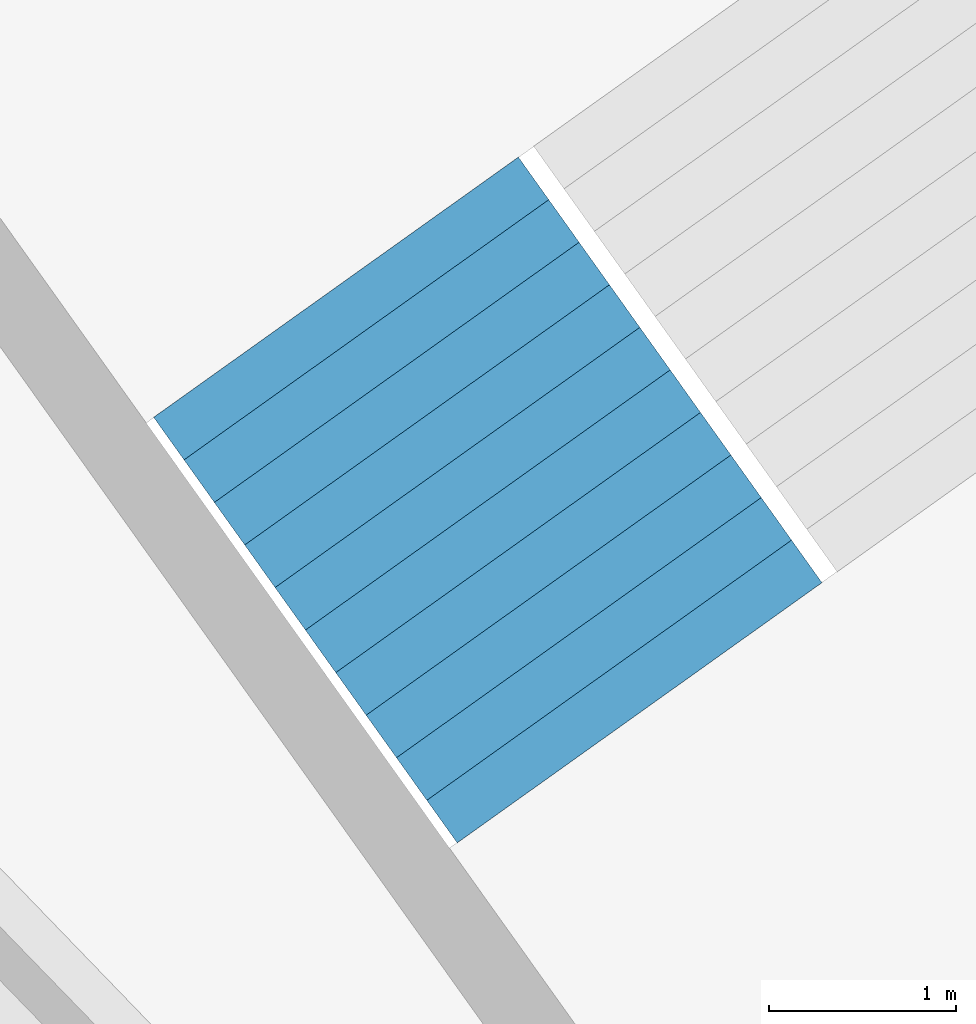
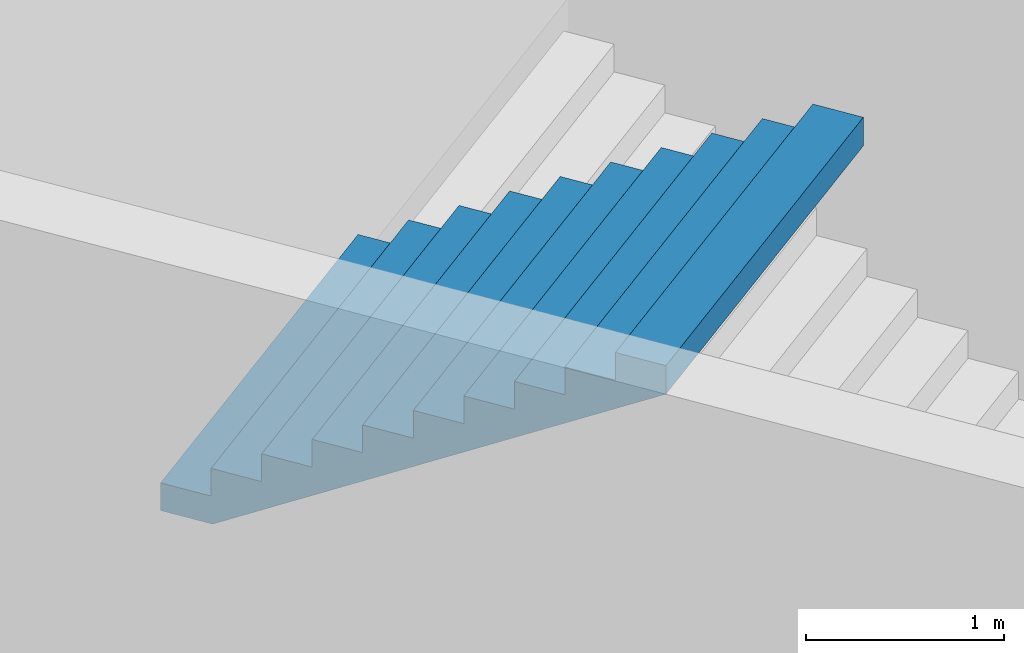
# One storey, part 42 of 73: 1 stair flight, 1 element without a shape of its own.
"""IFC4 building model written with IfcOpenShell, lengths in metres."""

import ifcopenshell
import ifcopenshell.guid

model = None  # the IFC model being written
_history = None  # IfcOwnerHistory: only IFC2X3 demands one
_inside = {}  # id of a spatial element -> (the spatial element, [elements in it])
_under = {}  # id of a project, library or spatial element -> (it, [spatial elements below it])
_declared = {}  # id of a project -> (the project, [libraries it declares])
_typed = {}  # id of a type object -> (the type object, [elements of that type])
_made_of = {}  # id of a material, layer set ... -> (it, [elements and type objects made of it])


def new_model(schema):
    """Start an empty IFC model of exactly this schema.

    Asked for "IFC4X3", IfcOpenShell would pick the latest addendum, in which some entities
    have other attributes; the version numbers below select the first issue.
    IFC2X3 requires an IfcOwnerHistory on every rooted entity: one is made here for all.
    """
    global model, _history
    if schema == "IFC4X3":
        model = ifcopenshell.file(schema_version=(4, 3, 0, 0))
    else:
        model = ifcopenshell.file(schema=schema)
    _inside.clear()
    _under.clear()
    _declared.clear()
    _typed.clear()
    _made_of.clear()
    _history = None
    if model.schema == "IFC2X3":
        org = make("IfcOrganization", Name="unknown")
        user = make(
            "IfcPersonAndOrganization",
            ThePerson=make("IfcPerson", FamilyName="unknown"),
            TheOrganization=org,
        )
        app = make(
            "IfcApplication",
            ApplicationDeveloper=org,
            Version="unknown",
            ApplicationFullName="unknown",
            ApplicationIdentifier="unknown",
        )
        _history = make(
            "IfcOwnerHistory",
            OwningUser=user,
            OwningApplication=app,
            ChangeAction="ADDED",
            CreationDate=0,
        )
    return model


def make(cls, **values):
    """One entity of the class cls with the attributes given. An attribute that is None is left unset."""
    return model.create_entity(
        cls, **{name: value for name, value in values.items() if value is not None}
    )


def rooted(cls, **values):
    """An entity with a GlobalId (a new one), such as an element, a storey or a relation."""
    return make(cls, GlobalId=ifcopenshell.guid.new(), OwnerHistory=_history, **values)


def si_unit(unit_type, name, prefix=None):
    """IfcSIUnit, for example si_unit("LENGTHUNIT", "METRE", prefix="MILLI")."""
    return make("IfcSIUnit", UnitType=unit_type, Prefix=prefix, Name=name)


def assignment(units):
    """IfcUnitAssignment: the units of a project."""
    return None if units is None else make("IfcUnitAssignment", Units=units)


def point(xyz):
    """IfcCartesianPoint."""
    return None if xyz is None else make("IfcCartesianPoint", Coordinates=xyz)


def direction(xyz):
    """IfcDirection."""
    return None if xyz is None else make("IfcDirection", DirectionRatios=xyz)


def frame(location, z_axis=None, x_axis=None):
    """IfcAxis2Placement3D, a coordinate frame: its origin and axes. An axis left out is left unset."""
    return make(
        "IfcAxis2Placement3D",
        Location=point(location),
        Axis=direction(z_axis),
        RefDirection=direction(x_axis),
    )


def origin():
    """The frame at (0, 0, 0) with its axes left unset."""
    return frame((0.0, 0.0, 0.0))


def place(relative_to, where):
    """IfcLocalPlacement: puts the frame where relative to a parent placement (None: the world)."""
    return make(
        "IfcLocalPlacement", PlacementRelTo=relative_to, RelativePlacement=where
    )


def context(
    kind, dimensions, precision=None, world=None, true_north=None, identifier=None
):
    """IfcGeometricRepresentationContext, for example the 3D "Model" context."""
    return make(
        "IfcGeometricRepresentationContext",
        ContextIdentifier=identifier,
        ContextType=kind,
        CoordinateSpaceDimension=dimensions,
        Precision=precision,
        WorldCoordinateSystem=world,
        TrueNorth=true_north,
    )


def subcontext(parent, identifier, kind, view, scale=None):
    """IfcGeometricRepresentationSubContext, for example "Body" below "Model"."""
    return make(
        "IfcGeometricRepresentationSubContext",
        ContextIdentifier=identifier,
        ContextType=kind,
        ParentContext=parent,
        TargetScale=scale,
        TargetView=view,
    )


def project(units=None, contexts=None):
    """IfcProject with its units and contexts."""
    return rooted(
        "IfcProject",
        Name="project",
        RepresentationContexts=contexts,
        UnitsInContext=assignment(units),
    )


def spatial(cls, under=None, at=None, **own):
    """A site, building, storey or space (cls), placed at a placement, below another one or the project."""
    s = rooted(cls, ObjectPlacement=at, **own)
    if under is not None:
        _under.setdefault(under.id(), (under, []))[1].append(s)
    return s


def point_list(points):
    """IfcCartesianPointList2D or 3D."""
    cls = (
        "IfcCartesianPointList2D" if len(points[0]) == 2 else "IfcCartesianPointList3D"
    )
    return make(cls, CoordList=points)


def triangles(points, corners, closed=None, point_numbers=None):
    """IfcTriangulatedFaceSet: each triangle names its three corners, points numbered from 1."""
    return make(
        "IfcTriangulatedFaceSet",
        Coordinates=point_list(points),
        Closed=closed,
        CoordIndex=corners,
        PnIndex=point_numbers,
    )


def shape(context_of_items, identifier, shape_type, items):
    """IfcShapeRepresentation: the items that make up one representation, for example the "Body"."""
    return make(
        "IfcShapeRepresentation",
        ContextOfItems=context_of_items,
        RepresentationIdentifier=identifier,
        RepresentationType=shape_type,
        Items=items,
    )


def material(Name=None, Category=None):
    """IfcMaterial."""
    return make("IfcMaterial", Name=Name, Category=Category)


def made_of(thing, what):
    """Note that an element or type object is made of a material, layer set ...; save() writes the relation."""
    if what is not None:
        _made_of.setdefault(what.id(), (what, []))[1].append(thing)
    return thing


def type_object(cls, material=None, **own):
    """A type object (cls), such as IfcWallType, which elements share."""
    return made_of(rooted(cls, **own), material)


def element(
    cls,
    number,
    at=None,
    inside=None,
    cuts=None,
    type_object=None,
    material=None,
    context=None,
    identifier="Body",
    shape_type=None,
    held_by="IfcProductDefinitionShape",
    body=None,
    shapes=None,
    **own,
):
    """One element of the class cls, such as IfcWall. Its Tag is "e" and its number.

    at: its placement. inside: the storey or other place that contains it. cuts: it is an
    opening in that element (IfcRelVoidsElement). A single representation is given by context,
    identifier, shape_type and body (its items); several are given by shapes. held_by: the class
    of the entity that holds the representations. save() writes the other relations.
    """
    e = rooted(cls, Tag="e%d" % number, ObjectPlacement=at, **own)
    if body is not None:
        shapes = [shape(context, identifier, shape_type, body)]
    if shapes is not None:
        e.Representation = make(held_by, Representations=shapes)
    if inside is not None:
        _inside.setdefault(inside.id(), (inside, []))[1].append(e)
    if cuts is not None:
        rooted(
            "IfcRelVoidsElement", RelatingBuildingElement=cuts, RelatedOpeningElement=e
        )
    if type_object is not None:
        _typed.setdefault(type_object.id(), (type_object, []))[1].append(e)
    return made_of(e, material)


def aggregate(whole, parts):
    """IfcRelAggregates: a whole, such as a stair, and the parts it consists of."""
    return rooted("IfcRelAggregates", RelatingObject=whole, RelatedObjects=parts)


def save(model, path):
    """Write the relations noted so far, then the file.

    IfcRelAggregates (storeys below a building ...), IfcRelContainedInSpatialStructure (elements
    in a storey), IfcRelDefinesByType, IfcRelAssociatesMaterial and IfcRelDeclares: one each for
    every whole, place, type object, material and project.
    """
    for whole, parts in _under.values():
        aggregate(whole, parts)
    for where, things in _inside.values():
        rooted(
            "IfcRelContainedInSpatialStructure",
            RelatedElements=things,
            RelatingStructure=where,
        )
    for kind, things in _typed.values():
        rooted("IfcRelDefinesByType", RelatedObjects=things, RelatingType=kind)
    for what, things in _made_of.values():
        rooted("IfcRelAssociatesMaterial", RelatedObjects=things, RelatingMaterial=what)
    for by, libraries in _declared.values():
        rooted("IfcRelDeclares", RelatingContext=by, RelatedDefinitions=libraries)
    model.write(path)


model = new_model("IFC4")

# Units and contexts
model_context = context("Model", 3, precision=1e-05, world=origin(), true_north=direction((0.0, 1.0)))
body_context = subcontext(model_context, "Body", "Model", "MODEL_VIEW")
ifc_project = project(units=[si_unit("LENGTHUNIT", "METRE"), si_unit("AREAUNIT", "SQUARE_METRE"), si_unit("VOLUMEUNIT", "CUBIC_METRE"), si_unit("PLANEANGLEUNIT", "RADIAN"), si_unit("MASSUNIT", "GRAM", prefix="KILO")], contexts=[model_context])

# Site, building, storey
site_placement = place(None, origin())
site = spatial("IfcSite", under=ifc_project, at=site_placement, CompositionType="ELEMENT")
building_placement = place(site_placement, origin())
building = spatial("IfcBuilding", under=site, at=building_placement, Name="Lantaw Convention Tower", CompositionType="ELEMENT")
storey_placement = place(building_placement, frame((0.0, 0.0, 14.5)))
storey = spatial("IfcBuildingStorey", under=building, at=storey_placement, Name="L02", CompositionType="ELEMENT", Elevation=14.5)

# Stair, stair flight
ifc_material = material(Name="Concrete C35/45", Category="concrete")
stair_type = type_object("IfcStairType", Name="Exit stair 2400 riser 170.45 in 4 flights", PredefinedType="HALF_TURN_STAIR", material=ifc_material)
stair_placement = place(storey_placement, origin())
stair = element("IfcStair", 1, at=stair_placement, inside=storey, type_object=stair_type, Name="Podium exit stair P6 L02", PredefinedType="HALF_TURN_STAIR")
stair_flight_type = type_object("IfcStairFlightType", Name="Stair flight 2400 riser 170.45", PredefinedType="STRAIGHT", material=ifc_material)
stair_flight_placement = place(storey_placement, frame((-20.631591796875, 26.771728515625, 5.625), z_axis=(0.0, 0.0, 1.0), x_axis=(0.580702955711, -0.814115518356, 0.0)))
stair_flight = element("IfcStairFlight", 2, at=stair_flight_placement, type_object=stair_flight_type, Name="P6 flight 4", NumberOfRisers=11, NumberOfTreads=10, PredefinedType="STRAIGHT", RiserHeight=0.170454545, TreadLength=0.28, context=body_context, shape_type="Tessellation", body=[
    triangles([(0.0, 1.199951171875, 0.0), (0.0, 1.199951171875, 0.170454545), (0.28, 1.199951171875, 0.0), (0.28, 1.199951171875, 0.170454545), (0.28, 1.199951171875, 0.34090909), (0.28827876332691904, 1.199951171875, 0.0), (0.28827876332691904, 1.199951171875, 0.34090909), (0.56, 1.199951171875, 0.16541471344266906), (0.56, 1.199951171875, 0.34090909), (0.56, 1.199951171875, 0.511363635), (0.8400000000000001, 1.199951171875, 0.335869258442669), (0.8400000000000001, 1.199951171875, 0.511363635), (0.8400000000000001, 1.199951171875, 0.68181818), (1.12, 1.199951171875, 0.506323803442669), (1.12, 1.199951171875, 0.68181818), (1.12, 1.199951171875, 0.8522727250000001), (1.4000000000000001, 1.199951171875, 0.676778348442669), (1.4000000000000001, 1.199951171875, 0.8522727250000001), (1.4000000000000001, 1.199951171875, 1.02272727), (1.6800000000000002, 1.199951171875, 0.847232893442669), (1.6800000000000002, 1.199951171875, 1.02272727), (1.6800000000000002, 1.199951171875, 1.193181815), (1.9600000000000002, 1.199951171875, 1.017687438442669), (1.9600000000000002, 1.199951171875, 1.193181815), (1.9600000000000002, 1.199951171875, 1.36363636), (2.24, 1.199951171875, 1.188141983442669), (2.24, 1.199951171875, 1.36363636), (2.24, 1.199951171875, 1.5340909050000002), (2.5200000000000005, 1.199951171875, 1.358596528442669), (2.5200000000000005, 1.199951171875, 1.5340909050000002), (2.5200000000000005, 1.199951171875, 1.7045454500000001), (2.8000000000000003, 1.199951171875, 1.529051073442669), (2.8000000000000003, 1.199951171875, 1.7045454500000001), (0.0, -1.199951171875, 0.0), (0.0, -1.199951171875, 0.170454545), (0.28, -1.199951171875, 0.0), (0.28, -1.199951171875, 0.170454545), (0.28, -1.199951171875, 0.34090909), (0.28827876332691904, -1.199951171875, 0.0), (0.28827876332691904, -1.199951171875, 0.34090909), (0.56, -1.199951171875, 0.16541471344266906), (0.56, -1.199951171875, 0.34090909), (0.56, -1.199951171875, 0.511363635), (0.8400000000000001, -1.199951171875, 0.335869258442669), (0.8400000000000001, -1.199951171875, 0.511363635), (0.8400000000000001, -1.199951171875, 0.68181818), (1.12, -1.199951171875, 0.506323803442669), (1.12, -1.199951171875, 0.68181818), (1.12, -1.199951171875, 0.8522727250000001), (1.4000000000000001, -1.199951171875, 0.676778348442669), (1.4000000000000001, -1.199951171875, 0.8522727250000001), (1.4000000000000001, -1.199951171875, 1.02272727), (1.6800000000000002, -1.199951171875, 0.847232893442669), (1.6800000000000002, -1.199951171875, 1.02272727), (1.6800000000000002, -1.199951171875, 1.193181815), (1.9600000000000002, -1.199951171875, 1.017687438442669), (1.9600000000000002, -1.199951171875, 1.193181815), (1.9600000000000002, -1.199951171875, 1.36363636), (2.24, -1.199951171875, 1.188141983442669), (2.24, -1.199951171875, 1.36363636), (2.24, -1.199951171875, 1.5340909050000002), (2.5200000000000005, -1.199951171875, 1.358596528442669), (2.5200000000000005, -1.199951171875, 1.5340909050000002), (2.5200000000000005, -1.199951171875, 1.7045454500000001), (2.8000000000000003, -1.199951171875, 1.529051073442669), (2.8000000000000003, -1.199951171875, 1.7045454500000001), (0.0, 0.239990234375, 0.170454545), (0.0, 0.239990234375, 0.0), (0.0, 0.1199951171875, 0.170454545), (0.0, 0.1199951171875, 0.0), (0.0, 0.0, 0.170454545), (0.0, 0.0, 0.0), (0.0, -0.1199951171875, 0.170454545), (0.0, -0.1199951171875, 0.0), (0.0, -0.239990234375, 0.170454545), (0.0, -0.239990234375, 0.0), (0.28, 0.239990234375, 0.34090909), (0.28, 0.239990234375, 0.170454545), (0.28, 0.1199951171875, 0.34090909), (0.28, 0.1199951171875, 0.170454545), (0.28, 0.0, 0.34090909), (0.28, 0.0, 0.170454545), (0.28, -0.1199951171875, 0.34090909), (0.28, -0.1199951171875, 0.170454545), (0.28, -0.239990234375, 0.34090909), (0.28, -0.239990234375, 0.170454545), (0.56, 0.239990234375, 0.511363635), (0.56, 0.239990234375, 0.34090909), (0.56, 0.1199951171875, 0.511363635), (0.56, 0.1199951171875, 0.34090909), (0.56, 0.0, 0.511363635), (0.56, 0.0, 0.34090909), (0.56, -0.1199951171875, 0.511363635), (0.56, -0.1199951171875, 0.34090909), (0.56, -0.239990234375, 0.511363635), (0.56, -0.239990234375, 0.34090909), (0.8400000000000001, 0.239990234375, 0.68181818), (0.8400000000000001, 0.239990234375, 0.511363635), (0.8400000000000001, 0.1199951171875, 0.68181818), (0.8400000000000001, 0.1199951171875, 0.511363635), (0.8400000000000001, 0.0, 0.68181818), (0.8400000000000001, 0.0, 0.511363635), (0.8400000000000001, -0.1199951171875, 0.68181818), (0.8400000000000001, -0.1199951171875, 0.511363635), (0.8400000000000001, -0.239990234375, 0.68181818), (0.8400000000000001, -0.239990234375, 0.511363635), (1.12, 0.239990234375, 0.8522727250000001), (1.12, 0.239990234375, 0.68181818), (1.12, 0.1199951171875, 0.8522727250000001), (1.12, 0.1199951171875, 0.68181818), (1.12, 0.0, 0.8522727250000001), (1.12, 0.0, 0.68181818), (1.12, -0.1199951171875, 0.8522727250000001), (1.12, -0.1199951171875, 0.68181818), (1.12, -0.239990234375, 0.8522727250000001), (1.12, -0.239990234375, 0.68181818), (1.4000000000000001, 0.239990234375, 1.02272727), (1.4000000000000001, 0.239990234375, 0.8522727250000001), (1.4000000000000001, 0.1199951171875, 1.02272727), (1.4000000000000001, 0.1199951171875, 0.8522727250000001), (1.4000000000000001, 0.0, 1.02272727), (1.4000000000000001, 0.0, 0.8522727250000001), (1.4000000000000001, -0.1199951171875, 1.02272727), (1.4000000000000001, -0.1199951171875, 0.8522727250000001), (1.4000000000000001, -0.239990234375, 1.02272727), (1.4000000000000001, -0.239990234375, 0.8522727250000001), (1.6800000000000002, 0.239990234375, 1.193181815), (1.6800000000000002, 0.239990234375, 1.02272727), (1.6800000000000002, 0.1199951171875, 1.193181815), (1.6800000000000002, 0.1199951171875, 1.02272727), (1.6800000000000002, 0.0, 1.193181815), (1.6800000000000002, 0.0, 1.02272727), (1.6800000000000002, -0.1199951171875, 1.193181815), (1.6800000000000002, -0.1199951171875, 1.02272727), (1.6800000000000002, -0.239990234375, 1.193181815), (1.6800000000000002, -0.239990234375, 1.02272727), (1.9600000000000002, 0.239990234375, 1.36363636), (1.9600000000000002, 0.239990234375, 1.193181815), (1.9600000000000002, 0.1199951171875, 1.36363636), (1.9600000000000002, 0.1199951171875, 1.193181815), (1.9600000000000002, 0.0, 1.36363636), (1.9600000000000002, 0.0, 1.193181815), (1.9600000000000002, -0.1199951171875, 1.36363636), (1.9600000000000002, -0.1199951171875, 1.193181815), (1.9600000000000002, -0.239990234375, 1.36363636), (1.9600000000000002, -0.239990234375, 1.193181815), (2.24, 0.239990234375, 1.5340909050000002), (2.24, 0.239990234375, 1.36363636), (2.24, 0.1199951171875, 1.5340909050000002), (2.24, 0.1199951171875, 1.36363636), (2.24, 0.0, 1.5340909050000002), (2.24, 0.0, 1.36363636), (2.24, -0.1199951171875, 1.5340909050000002), (2.24, -0.1199951171875, 1.36363636), (2.24, -0.239990234375, 1.5340909050000002), (2.24, -0.239990234375, 1.36363636), (2.5200000000000005, 0.239990234375, 1.7045454500000001), (2.5200000000000005, 0.239990234375, 1.5340909050000002), (2.5200000000000005, 0.1199951171875, 1.7045454500000001), (2.5200000000000005, 0.1199951171875, 1.5340909050000002), (2.5200000000000005, 0.0, 1.7045454500000001), (2.5200000000000005, 0.0, 1.5340909050000002), (2.5200000000000005, -0.1199951171875, 1.7045454500000001), (2.5200000000000005, -0.1199951171875, 1.5340909050000002), (2.5200000000000005, -0.239990234375, 1.7045454500000001), (2.5200000000000005, -0.239990234375, 1.5340909050000002), (0.28827876332691904, 0.239990234375, 0.34090909), (0.28827876332691904, 0.1199951171875, 0.34090909), (0.28827876332691904, 0.0, 0.34090909), (0.28827876332691904, -0.1199951171875, 0.34090909), (0.28827876332691904, -0.239990234375, 0.34090909), (2.8000000000000003, 0.239990234375, 1.7045454500000001), (2.8000000000000003, 0.1199951171875, 1.7045454500000001), (2.8000000000000003, 0.0, 1.7045454500000001), (2.8000000000000003, -0.1199951171875, 1.7045454500000001), (2.8000000000000003, -0.239990234375, 1.7045454500000001), (2.8000000000000003, 0.239990234375, 1.5290510734426692), (2.8000000000000003, 0.1199951171875, 1.5290510734426692), (2.8000000000000003, 0.0, 1.5290510734426692), (2.8000000000000003, -0.1199951171875, 1.5290510734426692), (2.8000000000000003, -0.239990234375, 1.5290510734426692), (2.5200000000000005, 0.239990234375, 1.358596528442669), (2.5200000000000005, 0.1199951171875, 1.358596528442669), (2.5200000000000005, 0.0, 1.358596528442669), (2.5200000000000005, -0.1199951171875, 1.358596528442669), (2.5200000000000005, -0.239990234375, 1.358596528442669), (2.24, 0.239990234375, 1.188141983442669), (2.24, 0.1199951171875, 1.188141983442669), (2.24, 0.0, 1.188141983442669), (2.24, -0.1199951171875, 1.188141983442669), (2.24, -0.239990234375, 1.188141983442669), (1.9600000000000002, 0.239990234375, 1.017687438442669), (1.9600000000000002, 0.1199951171875, 1.017687438442669), (1.9600000000000002, 0.0, 1.017687438442669), (1.9600000000000002, -0.1199951171875, 1.017687438442669), (1.9600000000000002, -0.239990234375, 1.017687438442669), (1.6800000000000002, 0.239990234375, 0.847232893442669), (1.6800000000000002, 0.1199951171875, 0.847232893442669), (1.6800000000000002, 0.0, 0.847232893442669), (1.6800000000000002, -0.1199951171875, 0.847232893442669), (1.6800000000000002, -0.239990234375, 0.847232893442669), (1.4000000000000001, 0.239990234375, 0.676778348442669), (1.4000000000000001, 0.1199951171875, 0.676778348442669), (1.4000000000000001, 0.0, 0.676778348442669), (1.4000000000000001, -0.1199951171875, 0.676778348442669), (1.4000000000000001, -0.239990234375, 0.676778348442669), (1.12, 0.239990234375, 0.506323803442669), (1.12, 0.1199951171875, 0.506323803442669), (1.12, 0.0, 0.506323803442669), (1.12, -0.1199951171875, 0.506323803442669), (1.12, -0.239990234375, 0.506323803442669), (0.8400000000000001, 0.239990234375, 0.335869258442669), (0.8400000000000001, 0.1199951171875, 0.335869258442669), (0.8400000000000001, 0.0, 0.335869258442669), (0.8400000000000001, -0.1199951171875, 0.335869258442669), (0.8400000000000001, -0.239990234375, 0.335869258442669), (0.56, 0.239990234375, 0.16541471344266906), (0.56, 0.1199951171875, 0.16541471344266906), (0.56, 0.0, 0.16541471344266906), (0.56, -0.1199951171875, 0.16541471344266906), (0.56, -0.239990234375, 0.16541471344266906), (0.28827876332691904, 0.239990234375, 0.0), (0.28827876332691904, 0.1199951171875, 0.0), (0.28827876332691904, 0.0, 0.0), (0.28827876332691904, -0.1199951171875, 0.0), (0.28827876332691904, -0.239990234375, 0.0), (0.28, 0.239990234375, 0.0), (0.28, 0.1199951171875, 0.0), (0.28, 0.0, 0.0), (0.28, -0.1199951171875, 0.0), (0.28, -0.239990234375, 0.0)], [[1, 4, 3], [1, 2, 4], [3, 4, 6], [4, 7, 6], [4, 5, 7], [6, 9, 8], [6, 7, 9], [8, 9, 11], [9, 12, 11], [9, 10, 12], [11, 12, 14], [12, 15, 14], [12, 13, 15], [14, 15, 17], [15, 18, 17], [15, 16, 18], [17, 18, 20], [18, 21, 20], [18, 19, 21], [20, 21, 23], [21, 24, 23], [21, 22, 24], [23, 24, 26], [24, 27, 26], [24, 25, 27], [26, 27, 29], [27, 30, 29], [27, 28, 30], [29, 30, 32], [30, 33, 32], [30, 31, 33], [34, 36, 37], [34, 37, 35], [36, 39, 37], [37, 39, 40], [37, 40, 38], [39, 41, 42], [39, 42, 40], [41, 44, 42], [42, 44, 45], [42, 45, 43], [44, 47, 45], [45, 47, 48], [45, 48, 46], [47, 50, 48], [48, 50, 51], [48, 51, 49], [50, 53, 51], [51, 53, 54], [51, 54, 52], [53, 56, 54], [54, 56, 57], [54, 57, 55], [56, 59, 57], [57, 59, 60], [57, 60, 58], [59, 62, 60], [60, 62, 63], [60, 63, 61], [62, 65, 63], [63, 65, 66], [63, 66, 64], [1, 67, 2], [1, 68, 67], [68, 69, 67], [68, 70, 69], [70, 71, 69], [70, 72, 71], [72, 73, 71], [72, 74, 73], [74, 75, 73], [74, 76, 75], [76, 35, 75], [76, 34, 35], [4, 77, 5], [4, 78, 77], [78, 79, 77], [78, 80, 79], [80, 81, 79], [80, 82, 81], [82, 83, 81], [82, 84, 83], [84, 85, 83], [84, 86, 85], [86, 38, 85], [86, 37, 38], [9, 87, 10], [9, 88, 87], [88, 89, 87], [88, 90, 89], [90, 91, 89], [90, 92, 91], [92, 93, 91], [92, 94, 93], [94, 95, 93], [94, 96, 95], [96, 43, 95], [96, 42, 43], [12, 97, 13], [12, 98, 97], [98, 99, 97], [98, 100, 99], [100, 101, 99], [100, 102, 101], [102, 103, 101], [102, 104, 103], [104, 105, 103], [104, 106, 105], [106, 46, 105], [106, 45, 46], [15, 107, 16], [15, 108, 107], [108, 109, 107], [108, 110, 109], [110, 111, 109], [110, 112, 111], [112, 113, 111], [112, 114, 113], [114, 115, 113], [114, 116, 115], [116, 49, 115], [116, 48, 49], [18, 117, 19], [18, 118, 117], [118, 119, 117], [118, 120, 119], [120, 121, 119], [120, 122, 121], [122, 123, 121], [122, 124, 123], [124, 125, 123], [124, 126, 125], [126, 52, 125], [126, 51, 52], [21, 127, 22], [21, 128, 127], [128, 129, 127], [128, 130, 129], [130, 131, 129], [130, 132, 131], [132, 133, 131], [132, 134, 133], [134, 135, 133], [134, 136, 135], [136, 55, 135], [136, 54, 55], [24, 137, 25], [24, 138, 137], [138, 139, 137], [138, 140, 139], [140, 141, 139], [140, 142, 141], [142, 143, 141], [142, 144, 143], [144, 145, 143], [144, 146, 145], [146, 58, 145], [146, 57, 58], [27, 147, 28], [27, 148, 147], [148, 149, 147], [148, 150, 149], [150, 151, 149], [150, 152, 151], [152, 153, 151], [152, 154, 153], [154, 155, 153], [154, 156, 155], [156, 61, 155], [156, 60, 61], [30, 157, 31], [30, 158, 157], [158, 159, 157], [158, 160, 159], [160, 161, 159], [160, 162, 161], [162, 163, 161], [162, 164, 163], [164, 165, 163], [164, 166, 165], [166, 64, 165], [166, 63, 64], [2, 78, 4], [2, 67, 78], [67, 80, 78], [67, 69, 80], [69, 82, 80], [69, 71, 82], [71, 84, 82], [71, 73, 84], [73, 86, 84], [73, 75, 86], [75, 37, 86], [75, 35, 37], [5, 167, 7], [5, 77, 167], [77, 168, 167], [77, 79, 168], [79, 169, 168], [79, 81, 169], [81, 170, 169], [81, 83, 170], [83, 171, 170], [83, 85, 171], [85, 40, 171], [85, 38, 40], [7, 88, 9], [7, 167, 88], [167, 90, 88], [167, 168, 90], [168, 92, 90], [168, 169, 92], [169, 94, 92], [169, 170, 94], [170, 96, 94], [170, 171, 96], [171, 42, 96], [171, 40, 42], [10, 98, 12], [10, 87, 98], [87, 100, 98], [87, 89, 100], [89, 102, 100], [89, 91, 102], [91, 104, 102], [91, 93, 104], [93, 106, 104], [93, 95, 106], [95, 45, 106], [95, 43, 45], [13, 108, 15], [13, 97, 108], [97, 110, 108], [97, 99, 110], [99, 112, 110], [99, 101, 112], [101, 114, 112], [101, 103, 114], [103, 116, 114], [103, 105, 116], [105, 48, 116], [105, 46, 48], [16, 118, 18], [16, 107, 118], [107, 120, 118], [107, 109, 120], [109, 122, 120], [109, 111, 122], [111, 124, 122], [111, 113, 124], [113, 126, 124], [113, 115, 126], [115, 51, 126], [115, 49, 51], [19, 128, 21], [19, 117, 128], [117, 130, 128], [117, 119, 130], [119, 132, 130], [119, 121, 132], [121, 134, 132], [121, 123, 134], [123, 136, 134], [123, 125, 136], [125, 54, 136], [125, 52, 54], [22, 138, 24], [22, 127, 138], [127, 140, 138], [127, 129, 140], [129, 142, 140], [129, 131, 142], [131, 144, 142], [131, 133, 144], [133, 146, 144], [133, 135, 146], [135, 57, 146], [135, 55, 57], [25, 148, 27], [25, 137, 148], [137, 150, 148], [137, 139, 150], [139, 152, 150], [139, 141, 152], [141, 154, 152], [141, 143, 154], [143, 156, 154], [143, 145, 156], [145, 60, 156], [145, 58, 60], [28, 158, 30], [28, 147, 158], [147, 160, 158], [147, 149, 160], [149, 162, 160], [149, 151, 162], [151, 164, 162], [151, 153, 164], [153, 166, 164], [153, 155, 166], [155, 63, 166], [155, 61, 63], [31, 172, 33], [31, 157, 172], [157, 173, 172], [157, 159, 173], [159, 174, 173], [159, 161, 174], [161, 175, 174], [161, 163, 175], [163, 176, 175], [163, 165, 176], [165, 66, 176], [165, 64, 66], [33, 177, 32], [33, 172, 177], [172, 178, 177], [172, 173, 178], [173, 179, 178], [173, 174, 179], [174, 180, 179], [174, 175, 180], [175, 181, 180], [175, 176, 181], [176, 65, 181], [176, 66, 65], [32, 182, 29], [32, 177, 182], [177, 183, 182], [177, 178, 183], [178, 184, 183], [178, 179, 184], [179, 185, 184], [179, 180, 185], [180, 186, 185], [180, 181, 186], [181, 62, 186], [181, 65, 62], [29, 187, 26], [29, 182, 187], [182, 188, 187], [182, 183, 188], [183, 189, 188], [183, 184, 189], [184, 190, 189], [184, 185, 190], [185, 191, 190], [185, 186, 191], [186, 59, 191], [186, 62, 59], [26, 192, 23], [26, 187, 192], [187, 193, 192], [187, 188, 193], [188, 194, 193], [188, 189, 194], [189, 195, 194], [189, 190, 195], [190, 196, 195], [190, 191, 196], [191, 56, 196], [191, 59, 56], [23, 197, 20], [23, 192, 197], [192, 198, 197], [192, 193, 198], [193, 199, 198], [193, 194, 199], [194, 200, 199], [194, 195, 200], [195, 201, 200], [195, 196, 201], [196, 53, 201], [196, 56, 53], [20, 202, 17], [20, 197, 202], [197, 203, 202], [197, 198, 203], [198, 204, 203], [198, 199, 204], [199, 205, 204], [199, 200, 205], [200, 206, 205], [200, 201, 206], [201, 50, 206], [201, 53, 50], [17, 207, 14], [17, 202, 207], [202, 208, 207], [202, 203, 208], [203, 209, 208], [203, 204, 209], [204, 210, 209], [204, 205, 210], [205, 211, 210], [205, 206, 211], [206, 47, 211], [206, 50, 47], [14, 212, 11], [14, 207, 212], [207, 213, 212], [207, 208, 213], [208, 214, 213], [208, 209, 214], [209, 215, 214], [209, 210, 215], [210, 216, 215], [210, 211, 216], [211, 44, 216], [211, 47, 44], [11, 217, 8], [11, 212, 217], [212, 218, 217], [212, 213, 218], [213, 219, 218], [213, 214, 219], [214, 220, 219], [214, 215, 220], [215, 221, 220], [215, 216, 221], [216, 41, 221], [216, 44, 41], [8, 222, 6], [8, 217, 222], [217, 223, 222], [217, 218, 223], [218, 224, 223], [218, 219, 224], [219, 225, 224], [219, 220, 225], [220, 226, 225], [220, 221, 226], [221, 39, 226], [221, 41, 39], [6, 227, 3], [6, 222, 227], [222, 228, 227], [222, 223, 228], [223, 229, 228], [223, 224, 229], [224, 230, 229], [224, 225, 230], [225, 231, 230], [225, 226, 231], [226, 36, 231], [226, 39, 36], [3, 68, 1], [3, 227, 68], [227, 70, 68], [227, 228, 70], [228, 72, 70], [228, 229, 72], [229, 74, 72], [229, 230, 74], [230, 76, 74], [230, 231, 76], [231, 34, 76], [231, 36, 34]], closed=True),
])
aggregate(stair, [stair_flight])

save(model, "model.ifc")
